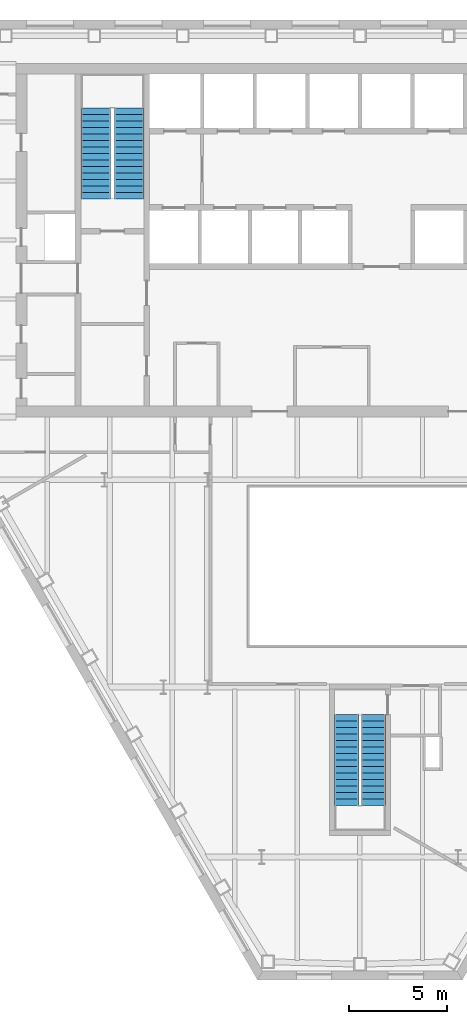
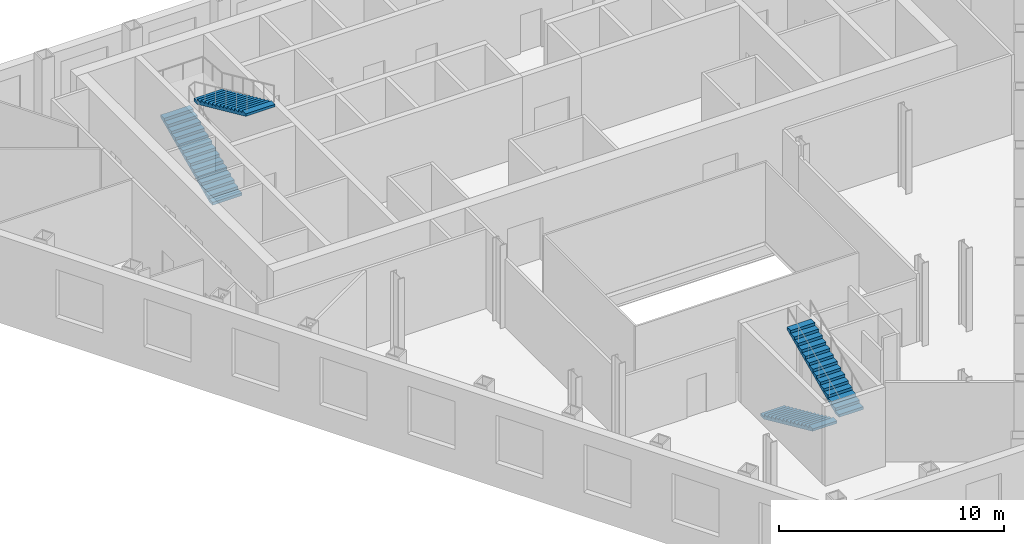
# One storey, part 9 of 11: 4 stair flights, 2 elements without a shape of their own.
"""IFC4 building model written with IfcOpenShell, lengths in metres."""

from ifc_helpers import new_model, si_unit, direction, frame, origin, place, context, subcontext, project, spatial, polygons, material, type_object, element, aggregate, save


model = new_model("IFC4")

# Units and contexts
model_context = context("Model", 3, precision=1e-05, world=origin(), true_north=direction((0.0, 1.0)))
body_context = subcontext(model_context, "Body", "Model", "MODEL_VIEW")
ifc_project = project(units=[si_unit("LENGTHUNIT", "METRE"), si_unit("AREAUNIT", "SQUARE_METRE"), si_unit("VOLUMEUNIT", "CUBIC_METRE"), si_unit("PLANEANGLEUNIT", "RADIAN"), si_unit("MASSUNIT", "GRAM", prefix="KILO")], contexts=[model_context])

# Site, building, storey
site_placement = place(None, origin())
site = spatial("IfcSite", under=ifc_project, at=site_placement, CompositionType="ELEMENT")
building_placement = place(site_placement, origin())
building = spatial("IfcBuilding", under=site, at=building_placement, Name="Njiva Tower", CompositionType="ELEMENT")
storey_placement = place(building_placement, frame((0.0, 0.0, 93.3)))
storey = spatial("IfcBuildingStorey", under=building, at=storey_placement, Name="L19", CompositionType="ELEMENT", Elevation=93.3)

# Stair, stair flights
ifc_material = material(Name="Concrete C40/50", Category="concrete")
stair_type_1 = type_object("IfcStairType", Name="ST1 Exit stair 1250", PredefinedType="HALF_TURN_STAIR", material=ifc_material)
stair_1_placement = place(storey_placement, origin())
stair_1 = element("IfcStair", 1, at=stair_1_placement, inside=storey, type_object=stair_type_1, Name="Stair C", PredefinedType="HALF_TURN_STAIR")
stair_flight_type_1 = type_object("IfcStairFlightType", Name="FL1 Stair flight 1250", PredefinedType="STRAIGHT", material=ifc_material)
stair_flight_1_placement = place(storey_placement, frame((-0.675, -15.16, 0.0), z_axis=(0.0, 0.0, 1.0), x_axis=(0.0, -1.0, 0.0)))
stair_flight_1 = element("IfcStairFlight", 2, at=stair_flight_1_placement, type_object=stair_flight_type_1, Name="ST-C flight 1", NumberOfRisers=15, NumberOfTreads=14, PredefinedType="STRAIGHT", RiserHeight=0.15, TreadLength=0.33, context=body_context, shape_type="Tessellation", body=[
    polygons([(0.0, 0.625, 0.0), (0.0, 0.3125, 0.0), (0.0, 0.0, 0.0), (0.0, -0.3125, 0.0), (0.0, -0.625, 0.0), (0.0, 0.625, 0.15), (0.0, 0.3125, 0.15), (0.0, 0.0, 0.15), (0.0, -0.3125, 0.15), (0.0, -0.625, 0.15), (0.33, 0.625, 0.15), (0.33, 0.3125, 0.15), (0.33, 0.0, 0.15), (0.33, -0.3125, 0.15), (0.33, -0.625, 0.15), (0.33, 0.625, 0.3), (0.33, 0.3125, 0.3), (0.33, 0.0, 0.3), (0.33, -0.3125, 0.3), (0.33, -0.625, 0.3), (0.66, 0.625, 0.3), (0.66, 0.3125, 0.3), (0.66, 0.0, 0.3), (0.66, -0.3125, 0.3), (0.66, -0.625, 0.3), (0.66, 0.625, 0.45), (0.66, 0.3125, 0.45), (0.66, 0.0, 0.45), (0.66, -0.3125, 0.45), (0.66, -0.625, 0.45), (0.99, 0.625, 0.45), (0.99, 0.3125, 0.45), (0.99, 0.0, 0.45), (0.99, -0.3125, 0.45), (0.99, -0.625, 0.45), (0.99, 0.625, 0.6), (0.99, 0.3125, 0.6), (0.99, 0.0, 0.6), (0.99, -0.3125, 0.6), (0.99, -0.625, 0.6), (1.32, 0.625, 0.6), (1.32, 0.3125, 0.6), (1.32, 0.0, 0.6), (1.32, -0.3125, 0.6), (1.32, -0.625, 0.6), (1.32, 0.625, 0.75), (1.32, 0.3125, 0.75), (1.32, 0.0, 0.75), (1.32, -0.3125, 0.75), (1.32, -0.625, 0.75), (1.65, 0.625, 0.75), (1.65, 0.3125, 0.75), (1.65, 0.0, 0.75), (1.65, -0.3125, 0.75), (1.65, -0.625, 0.75), (1.65, 0.625, 0.9), (1.65, 0.3125, 0.9), (1.65, 0.0, 0.9), (1.65, -0.3125, 0.9), (1.65, -0.625, 0.9), (1.98, 0.625, 0.9), (1.98, 0.3125, 0.9), (1.98, 0.0, 0.9), (1.98, -0.3125, 0.9), (1.98, -0.625, 0.9), (1.98, 0.625, 1.05), (1.98, 0.3125, 1.05), (1.98, 0.0, 1.05), (1.98, -0.3125, 1.05), (1.98, -0.625, 1.05), (2.31, 0.625, 1.05), (2.31, 0.3125, 1.05), (2.31, 0.0, 1.05), (2.31, -0.3125, 1.05), (2.31, -0.625, 1.05), (2.31, 0.625, 1.2), (2.31, 0.3125, 1.2), (2.31, 0.0, 1.2), (2.31, -0.3125, 1.2), (2.31, -0.625, 1.2), (2.64, 0.625, 1.2), (2.64, 0.3125, 1.2), (2.64, 0.0, 1.2), (2.64, -0.3125, 1.2), (2.64, -0.625, 1.2), (2.64, 0.625, 1.35), (2.64, 0.3125, 1.35), (2.64, 0.0, 1.35), (2.64, -0.3125, 1.35), (2.64, -0.625, 1.35), (2.97, 0.625, 1.35), (2.97, 0.3125, 1.35), (2.97, 0.0, 1.35), (2.97, -0.3125, 1.35), (2.97, -0.625, 1.35), (2.97, 0.625, 1.5), (2.97, 0.3125, 1.5), (2.97, 0.0, 1.5), (2.97, -0.3125, 1.5), (2.97, -0.625, 1.5), (3.3, 0.625, 1.5), (3.3, 0.3125, 1.5), (3.3, 0.0, 1.5), (3.3, -0.3125, 1.5), (3.3, -0.625, 1.5), (3.3, 0.625, 1.65), (3.3, 0.3125, 1.65), (3.3, 0.0, 1.65), (3.3, -0.3125, 1.65), (3.3, -0.625, 1.65), (3.63, 0.625, 1.65), (3.63, 0.3125, 1.65), (3.63, 0.0, 1.65), (3.63, -0.3125, 1.65), (3.63, -0.625, 1.65), (3.63, 0.625, 1.8), (3.63, 0.3125, 1.8), (3.63, 0.0, 1.8), (3.63, -0.3125, 1.8), (3.63, -0.625, 1.8), (3.96, 0.625, 1.8), (3.96, 0.3125, 1.8), (3.96, 0.0, 1.8), (3.96, -0.3125, 1.8), (3.96, -0.625, 1.8), (3.96, 0.625, 1.95), (3.96, 0.3125, 1.95), (3.96, 0.0, 1.95), (3.96, -0.3125, 1.95), (3.96, -0.625, 1.95), (4.29, 0.625, 1.95), (4.29, 0.3125, 1.95), (4.29, 0.0, 1.95), (4.29, -0.3125, 1.95), (4.29, -0.625, 1.95), (4.29, 0.625, 2.1), (4.29, 0.3125, 2.1), (4.29, 0.0, 2.1), (4.29, -0.3125, 2.1), (4.29, -0.625, 2.1), (4.62, 0.625, 2.1), (4.62, 0.3125, 2.1), (4.62, 0.0, 2.1), (4.62, -0.3125, 2.1), (4.62, -0.625, 2.1), (4.62, 0.625, 1.9682), (4.62, 0.3125, 1.9682), (4.62, 0.0, 1.9682), (4.62, -0.3125, 1.9682), (4.62, -0.625, 1.9682), (0.29, 0.625, 0.0), (0.29, 0.3125, 0.0), (0.29, 0.0, 0.0), (0.29, -0.3125, 0.0), (0.29, -0.625, 0.0)], [[[1, 6, 11, 16, 21, 26, 31, 36, 41, 46, 51, 56, 61, 66, 71, 76, 81, 86, 91, 96, 101, 106, 111, 116, 121, 126, 131, 136, 141, 146, 151]], [[155, 150, 145, 140, 135, 130, 125, 120, 115, 110, 105, 100, 95, 90, 85, 80, 75, 70, 65, 60, 55, 50, 45, 40, 35, 30, 25, 20, 15, 10, 5]], [[6, 1, 2, 7]], [[7, 2, 3, 8]], [[8, 3, 4, 9]], [[9, 4, 5, 10]], [[11, 6, 7, 12]], [[12, 7, 8, 13]], [[13, 8, 9, 14]], [[14, 9, 10, 15]], [[16, 11, 12, 17]], [[17, 12, 13, 18]], [[18, 13, 14, 19]], [[19, 14, 15, 20]], [[21, 16, 17, 22]], [[22, 17, 18, 23]], [[23, 18, 19, 24]], [[24, 19, 20, 25]], [[26, 21, 22, 27]], [[27, 22, 23, 28]], [[28, 23, 24, 29]], [[29, 24, 25, 30]], [[31, 26, 27, 32]], [[32, 27, 28, 33]], [[33, 28, 29, 34]], [[34, 29, 30, 35]], [[36, 31, 32, 37]], [[37, 32, 33, 38]], [[38, 33, 34, 39]], [[39, 34, 35, 40]], [[41, 36, 37, 42]], [[42, 37, 38, 43]], [[43, 38, 39, 44]], [[44, 39, 40, 45]], [[46, 41, 42, 47]], [[47, 42, 43, 48]], [[48, 43, 44, 49]], [[49, 44, 45, 50]], [[51, 46, 47, 52]], [[52, 47, 48, 53]], [[53, 48, 49, 54]], [[54, 49, 50, 55]], [[56, 51, 52, 57]], [[57, 52, 53, 58]], [[58, 53, 54, 59]], [[59, 54, 55, 60]], [[61, 56, 57, 62]], [[62, 57, 58, 63]], [[63, 58, 59, 64]], [[64, 59, 60, 65]], [[66, 61, 62, 67]], [[67, 62, 63, 68]], [[68, 63, 64, 69]], [[69, 64, 65, 70]], [[71, 66, 67, 72]], [[72, 67, 68, 73]], [[73, 68, 69, 74]], [[74, 69, 70, 75]], [[76, 71, 72, 77]], [[77, 72, 73, 78]], [[78, 73, 74, 79]], [[79, 74, 75, 80]], [[81, 76, 77, 82]], [[82, 77, 78, 83]], [[83, 78, 79, 84]], [[84, 79, 80, 85]], [[86, 81, 82, 87]], [[87, 82, 83, 88]], [[88, 83, 84, 89]], [[89, 84, 85, 90]], [[91, 86, 87, 92]], [[92, 87, 88, 93]], [[93, 88, 89, 94]], [[94, 89, 90, 95]], [[96, 91, 92, 97]], [[97, 92, 93, 98]], [[98, 93, 94, 99]], [[99, 94, 95, 100]], [[101, 96, 97, 102]], [[102, 97, 98, 103]], [[103, 98, 99, 104]], [[104, 99, 100, 105]], [[106, 101, 102, 107]], [[107, 102, 103, 108]], [[108, 103, 104, 109]], [[109, 104, 105, 110]], [[111, 106, 107, 112]], [[112, 107, 108, 113]], [[113, 108, 109, 114]], [[114, 109, 110, 115]], [[116, 111, 112, 117]], [[117, 112, 113, 118]], [[118, 113, 114, 119]], [[119, 114, 115, 120]], [[121, 116, 117, 122]], [[122, 117, 118, 123]], [[123, 118, 119, 124]], [[124, 119, 120, 125]], [[126, 121, 122, 127]], [[127, 122, 123, 128]], [[128, 123, 124, 129]], [[129, 124, 125, 130]], [[131, 126, 127, 132]], [[132, 127, 128, 133]], [[133, 128, 129, 134]], [[134, 129, 130, 135]], [[136, 131, 132, 137]], [[137, 132, 133, 138]], [[138, 133, 134, 139]], [[139, 134, 135, 140]], [[141, 136, 137, 142]], [[142, 137, 138, 143]], [[143, 138, 139, 144]], [[144, 139, 140, 145]], [[146, 141, 142, 147]], [[147, 142, 143, 148]], [[148, 143, 144, 149]], [[149, 144, 145, 150]], [[151, 146, 147, 152]], [[152, 147, 148, 153]], [[153, 148, 149, 154]], [[154, 149, 150, 155]], [[1, 151, 152, 2]], [[2, 152, 153, 3]], [[3, 153, 154, 4]], [[4, 154, 155, 5]]], closed=True),
])
stair_flight_2_placement = place(storey_placement, frame((0.675, -19.78, 2.25), z_axis=(0.0, 0.0, 1.0), x_axis=(0.0, 1.0, 0.0)))
stair_flight_2 = element("IfcStairFlight", 3, at=stair_flight_2_placement, type_object=stair_flight_type_1, Name="ST-C flight 2", NumberOfRisers=15, NumberOfTreads=14, PredefinedType="STRAIGHT", RiserHeight=0.15, TreadLength=0.33, context=body_context, shape_type="Tessellation", body=[
    polygons([(0.0, 0.625, 0.0), (0.0, 0.3125, 0.0), (0.0, 0.0, 0.0), (0.0, -0.3125, 0.0), (0.0, -0.625, 0.0), (0.0, 0.625, 0.15), (0.0, 0.3125, 0.15), (0.0, 0.0, 0.15), (0.0, -0.3125, 0.15), (0.0, -0.625, 0.15), (0.33, 0.625, 0.15), (0.33, 0.3125, 0.15), (0.33, 0.0, 0.15), (0.33, -0.3125, 0.15), (0.33, -0.625, 0.15), (0.33, 0.625, 0.3), (0.33, 0.3125, 0.3), (0.33, 0.0, 0.3), (0.33, -0.3125, 0.3), (0.33, -0.625, 0.3), (0.66, 0.625, 0.3), (0.66, 0.3125, 0.3), (0.66, 0.0, 0.3), (0.66, -0.3125, 0.3), (0.66, -0.625, 0.3), (0.66, 0.625, 0.45), (0.66, 0.3125, 0.45), (0.66, 0.0, 0.45), (0.66, -0.3125, 0.45), (0.66, -0.625, 0.45), (0.99, 0.625, 0.45), (0.99, 0.3125, 0.45), (0.99, 0.0, 0.45), (0.99, -0.3125, 0.45), (0.99, -0.625, 0.45), (0.99, 0.625, 0.6), (0.99, 0.3125, 0.6), (0.99, 0.0, 0.6), (0.99, -0.3125, 0.6), (0.99, -0.625, 0.6), (1.32, 0.625, 0.6), (1.32, 0.3125, 0.6), (1.32, 0.0, 0.6), (1.32, -0.3125, 0.6), (1.32, -0.625, 0.6), (1.32, 0.625, 0.75), (1.32, 0.3125, 0.75), (1.32, 0.0, 0.75), (1.32, -0.3125, 0.75), (1.32, -0.625, 0.75), (1.65, 0.625, 0.75), (1.65, 0.3125, 0.75), (1.65, 0.0, 0.75), (1.65, -0.3125, 0.75), (1.65, -0.625, 0.75), (1.65, 0.625, 0.9), (1.65, 0.3125, 0.9), (1.65, 0.0, 0.9), (1.65, -0.3125, 0.9), (1.65, -0.625, 0.9), (1.98, 0.625, 0.9), (1.98, 0.3125, 0.9), (1.98, 0.0, 0.9), (1.98, -0.3125, 0.9), (1.98, -0.625, 0.9), (1.98, 0.625, 1.05), (1.98, 0.3125, 1.05), (1.98, 0.0, 1.05), (1.98, -0.3125, 1.05), (1.98, -0.625, 1.05), (2.31, 0.625, 1.05), (2.31, 0.3125, 1.05), (2.31, 0.0, 1.05), (2.31, -0.3125, 1.05), (2.31, -0.625, 1.05), (2.31, 0.625, 1.2), (2.31, 0.3125, 1.2), (2.31, 0.0, 1.2), (2.31, -0.3125, 1.2), (2.31, -0.625, 1.2), (2.64, 0.625, 1.2), (2.64, 0.3125, 1.2), (2.64, 0.0, 1.2), (2.64, -0.3125, 1.2), (2.64, -0.625, 1.2), (2.64, 0.625, 1.35), (2.64, 0.3125, 1.35), (2.64, 0.0, 1.35), (2.64, -0.3125, 1.35), (2.64, -0.625, 1.35), (2.97, 0.625, 1.35), (2.97, 0.3125, 1.35), (2.97, 0.0, 1.35), (2.97, -0.3125, 1.35), (2.97, -0.625, 1.35), (2.97, 0.625, 1.5), (2.97, 0.3125, 1.5), (2.97, 0.0, 1.5), (2.97, -0.3125, 1.5), (2.97, -0.625, 1.5), (3.3, 0.625, 1.5), (3.3, 0.3125, 1.5), (3.3, 0.0, 1.5), (3.3, -0.3125, 1.5), (3.3, -0.625, 1.5), (3.3, 0.625, 1.65), (3.3, 0.3125, 1.65), (3.3, 0.0, 1.65), (3.3, -0.3125, 1.65), (3.3, -0.625, 1.65), (3.63, 0.625, 1.65), (3.63, 0.3125, 1.65), (3.63, 0.0, 1.65), (3.63, -0.3125, 1.65), (3.63, -0.625, 1.65), (3.63, 0.625, 1.8), (3.63, 0.3125, 1.8), (3.63, 0.0, 1.8), (3.63, -0.3125, 1.8), (3.63, -0.625, 1.8), (3.96, 0.625, 1.8), (3.96, 0.3125, 1.8), (3.96, 0.0, 1.8), (3.96, -0.3125, 1.8), (3.96, -0.625, 1.8), (3.96, 0.625, 1.95), (3.96, 0.3125, 1.95), (3.96, 0.0, 1.95), (3.96, -0.3125, 1.95), (3.96, -0.625, 1.95), (4.29, 0.625, 1.95), (4.29, 0.3125, 1.95), (4.29, 0.0, 1.95), (4.29, -0.3125, 1.95), (4.29, -0.625, 1.95), (4.29, 0.625, 2.1), (4.29, 0.3125, 2.1), (4.29, 0.0, 2.1), (4.29, -0.3125, 2.1), (4.29, -0.625, 2.1), (4.62, 0.625, 2.1), (4.62, 0.3125, 2.1), (4.62, 0.0, 2.1), (4.62, -0.3125, 2.1), (4.62, -0.625, 2.1), (4.62, 0.625, 1.9682), (4.62, 0.3125, 1.9682), (4.62, 0.0, 1.9682), (4.62, -0.3125, 1.9682), (4.62, -0.625, 1.9682), (0.29, 0.625, 0.0), (0.29, 0.3125, 0.0), (0.29, 0.0, 0.0), (0.29, -0.3125, 0.0), (0.29, -0.625, 0.0)], [[[1, 6, 11, 16, 21, 26, 31, 36, 41, 46, 51, 56, 61, 66, 71, 76, 81, 86, 91, 96, 101, 106, 111, 116, 121, 126, 131, 136, 141, 146, 151]], [[155, 150, 145, 140, 135, 130, 125, 120, 115, 110, 105, 100, 95, 90, 85, 80, 75, 70, 65, 60, 55, 50, 45, 40, 35, 30, 25, 20, 15, 10, 5]], [[6, 1, 2, 7]], [[7, 2, 3, 8]], [[8, 3, 4, 9]], [[9, 4, 5, 10]], [[11, 6, 7, 12]], [[12, 7, 8, 13]], [[13, 8, 9, 14]], [[14, 9, 10, 15]], [[16, 11, 12, 17]], [[17, 12, 13, 18]], [[18, 13, 14, 19]], [[19, 14, 15, 20]], [[21, 16, 17, 22]], [[22, 17, 18, 23]], [[23, 18, 19, 24]], [[24, 19, 20, 25]], [[26, 21, 22, 27]], [[27, 22, 23, 28]], [[28, 23, 24, 29]], [[29, 24, 25, 30]], [[31, 26, 27, 32]], [[32, 27, 28, 33]], [[33, 28, 29, 34]], [[34, 29, 30, 35]], [[36, 31, 32, 37]], [[37, 32, 33, 38]], [[38, 33, 34, 39]], [[39, 34, 35, 40]], [[41, 36, 37, 42]], [[42, 37, 38, 43]], [[43, 38, 39, 44]], [[44, 39, 40, 45]], [[46, 41, 42, 47]], [[47, 42, 43, 48]], [[48, 43, 44, 49]], [[49, 44, 45, 50]], [[51, 46, 47, 52]], [[52, 47, 48, 53]], [[53, 48, 49, 54]], [[54, 49, 50, 55]], [[56, 51, 52, 57]], [[57, 52, 53, 58]], [[58, 53, 54, 59]], [[59, 54, 55, 60]], [[61, 56, 57, 62]], [[62, 57, 58, 63]], [[63, 58, 59, 64]], [[64, 59, 60, 65]], [[66, 61, 62, 67]], [[67, 62, 63, 68]], [[68, 63, 64, 69]], [[69, 64, 65, 70]], [[71, 66, 67, 72]], [[72, 67, 68, 73]], [[73, 68, 69, 74]], [[74, 69, 70, 75]], [[76, 71, 72, 77]], [[77, 72, 73, 78]], [[78, 73, 74, 79]], [[79, 74, 75, 80]], [[81, 76, 77, 82]], [[82, 77, 78, 83]], [[83, 78, 79, 84]], [[84, 79, 80, 85]], [[86, 81, 82, 87]], [[87, 82, 83, 88]], [[88, 83, 84, 89]], [[89, 84, 85, 90]], [[91, 86, 87, 92]], [[92, 87, 88, 93]], [[93, 88, 89, 94]], [[94, 89, 90, 95]], [[96, 91, 92, 97]], [[97, 92, 93, 98]], [[98, 93, 94, 99]], [[99, 94, 95, 100]], [[101, 96, 97, 102]], [[102, 97, 98, 103]], [[103, 98, 99, 104]], [[104, 99, 100, 105]], [[106, 101, 102, 107]], [[107, 102, 103, 108]], [[108, 103, 104, 109]], [[109, 104, 105, 110]], [[111, 106, 107, 112]], [[112, 107, 108, 113]], [[113, 108, 109, 114]], [[114, 109, 110, 115]], [[116, 111, 112, 117]], [[117, 112, 113, 118]], [[118, 113, 114, 119]], [[119, 114, 115, 120]], [[121, 116, 117, 122]], [[122, 117, 118, 123]], [[123, 118, 119, 124]], [[124, 119, 120, 125]], [[126, 121, 122, 127]], [[127, 122, 123, 128]], [[128, 123, 124, 129]], [[129, 124, 125, 130]], [[131, 126, 127, 132]], [[132, 127, 128, 133]], [[133, 128, 129, 134]], [[134, 129, 130, 135]], [[136, 131, 132, 137]], [[137, 132, 133, 138]], [[138, 133, 134, 139]], [[139, 134, 135, 140]], [[141, 136, 137, 142]], [[142, 137, 138, 143]], [[143, 138, 139, 144]], [[144, 139, 140, 145]], [[146, 141, 142, 147]], [[147, 142, 143, 148]], [[148, 143, 144, 149]], [[149, 144, 145, 150]], [[151, 146, 147, 152]], [[152, 147, 148, 153]], [[153, 148, 149, 154]], [[154, 149, 150, 155]], [[1, 151, 152, 2]], [[2, 152, 153, 3]], [[3, 153, 154, 4]], [[4, 154, 155, 5]]], closed=True),
])
aggregate(stair_1, [stair_flight_1, stair_flight_2])

stair_type_2 = type_object("IfcStairType", Name="ST4 Exit stair 1500", PredefinedType="HALF_TURN_STAIR", material=ifc_material)
stair_2_placement = place(storey_placement, origin())
stair_2 = element("IfcStair", 4, at=stair_2_placement, inside=storey, type_object=stair_type_2, Name="Stair A", PredefinedType="HALF_TURN_STAIR")
stair_flight_type_2 = type_object("IfcStairFlightType", Name="FL4 Stair flight 1500", PredefinedType="STRAIGHT", material=ifc_material)
stair_flight_3_placement = place(storey_placement, frame((-13.45, 11.1, 0.0), z_axis=(0.0, 0.0, 1.0), x_axis=(0.0, 1.0, 0.0)))
stair_flight_3 = element("IfcStairFlight", 5, at=stair_flight_3_placement, type_object=stair_flight_type_2, Name="ST-A flight 1", NumberOfRisers=15, NumberOfTreads=14, PredefinedType="STRAIGHT", RiserHeight=0.15, TreadLength=0.33, context=body_context, shape_type="Tessellation", body=[
    polygons([(0.0, 0.75, 0.0), (0.0, 0.375, 0.0), (0.0, 0.0, 0.0), (0.0, -0.375, 0.0), (0.0, -0.75, 0.0), (0.0, 0.75, 0.15), (0.0, 0.375, 0.15), (0.0, 0.0, 0.15), (0.0, -0.375, 0.15), (0.0, -0.75, 0.15), (0.33, 0.75, 0.15), (0.33, 0.375, 0.15), (0.33, 0.0, 0.15), (0.33, -0.375, 0.15), (0.33, -0.75, 0.15), (0.33, 0.75, 0.3), (0.33, 0.375, 0.3), (0.33, 0.0, 0.3), (0.33, -0.375, 0.3), (0.33, -0.75, 0.3), (0.66, 0.75, 0.3), (0.66, 0.375, 0.3), (0.66, 0.0, 0.3), (0.66, -0.375, 0.3), (0.66, -0.75, 0.3), (0.66, 0.75, 0.45), (0.66, 0.375, 0.45), (0.66, 0.0, 0.45), (0.66, -0.375, 0.45), (0.66, -0.75, 0.45), (0.99, 0.75, 0.45), (0.99, 0.375, 0.45), (0.99, 0.0, 0.45), (0.99, -0.375, 0.45), (0.99, -0.75, 0.45), (0.99, 0.75, 0.6), (0.99, 0.375, 0.6), (0.99, 0.0, 0.6), (0.99, -0.375, 0.6), (0.99, -0.75, 0.6), (1.32, 0.75, 0.6), (1.32, 0.375, 0.6), (1.32, 0.0, 0.6), (1.32, -0.375, 0.6), (1.32, -0.75, 0.6), (1.32, 0.75, 0.75), (1.32, 0.375, 0.75), (1.32, 0.0, 0.75), (1.32, -0.375, 0.75), (1.32, -0.75, 0.75), (1.65, 0.75, 0.75), (1.65, 0.375, 0.75), (1.65, 0.0, 0.75), (1.65, -0.375, 0.75), (1.65, -0.75, 0.75), (1.65, 0.75, 0.9), (1.65, 0.375, 0.9), (1.65, 0.0, 0.9), (1.65, -0.375, 0.9), (1.65, -0.75, 0.9), (1.98, 0.75, 0.9), (1.98, 0.375, 0.9), (1.98, 0.0, 0.9), (1.98, -0.375, 0.9), (1.98, -0.75, 0.9), (1.98, 0.75, 1.05), (1.98, 0.375, 1.05), (1.98, 0.0, 1.05), (1.98, -0.375, 1.05), (1.98, -0.75, 1.05), (2.31, 0.75, 1.05), (2.31, 0.375, 1.05), (2.31, 0.0, 1.05), (2.31, -0.375, 1.05), (2.31, -0.75, 1.05), (2.31, 0.75, 1.2), (2.31, 0.375, 1.2), (2.31, 0.0, 1.2), (2.31, -0.375, 1.2), (2.31, -0.75, 1.2), (2.64, 0.75, 1.2), (2.64, 0.375, 1.2), (2.64, 0.0, 1.2), (2.64, -0.375, 1.2), (2.64, -0.75, 1.2), (2.64, 0.75, 1.35), (2.64, 0.375, 1.35), (2.64, 0.0, 1.35), (2.64, -0.375, 1.35), (2.64, -0.75, 1.35), (2.97, 0.75, 1.35), (2.97, 0.375, 1.35), (2.97, 0.0, 1.35), (2.97, -0.375, 1.35), (2.97, -0.75, 1.35), (2.97, 0.75, 1.5), (2.97, 0.375, 1.5), (2.97, 0.0, 1.5), (2.97, -0.375, 1.5), (2.97, -0.75, 1.5), (3.3, 0.75, 1.5), (3.3, 0.375, 1.5), (3.3, 0.0, 1.5), (3.3, -0.375, 1.5), (3.3, -0.75, 1.5), (3.3, 0.75, 1.65), (3.3, 0.375, 1.65), (3.3, 0.0, 1.65), (3.3, -0.375, 1.65), (3.3, -0.75, 1.65), (3.63, 0.75, 1.65), (3.63, 0.375, 1.65), (3.63, 0.0, 1.65), (3.63, -0.375, 1.65), (3.63, -0.75, 1.65), (3.63, 0.75, 1.8), (3.63, 0.375, 1.8), (3.63, 0.0, 1.8), (3.63, -0.375, 1.8), (3.63, -0.75, 1.8), (3.96, 0.75, 1.8), (3.96, 0.375, 1.8), (3.96, 0.0, 1.8), (3.96, -0.375, 1.8), (3.96, -0.75, 1.8), (3.96, 0.75, 1.95), (3.96, 0.375, 1.95), (3.96, 0.0, 1.95), (3.96, -0.375, 1.95), (3.96, -0.75, 1.95), (4.29, 0.75, 1.95), (4.29, 0.375, 1.95), (4.29, 0.0, 1.95), (4.29, -0.375, 1.95), (4.29, -0.75, 1.95), (4.29, 0.75, 2.1), (4.29, 0.375, 2.1), (4.29, 0.0, 2.1), (4.29, -0.375, 2.1), (4.29, -0.75, 2.1), (4.62, 0.75, 2.1), (4.62, 0.375, 2.1), (4.62, 0.0, 2.1), (4.62, -0.375, 2.1), (4.62, -0.75, 2.1), (4.62, 0.75, 1.9682), (4.62, 0.375, 1.9682), (4.62, 0.0, 1.9682), (4.62, -0.375, 1.9682), (4.62, -0.75, 1.9682), (0.29, 0.75, 0.0), (0.29, 0.375, 0.0), (0.29, 0.0, 0.0), (0.29, -0.375, 0.0), (0.29, -0.75, 0.0)], [[[1, 6, 11, 16, 21, 26, 31, 36, 41, 46, 51, 56, 61, 66, 71, 76, 81, 86, 91, 96, 101, 106, 111, 116, 121, 126, 131, 136, 141, 146, 151]], [[155, 150, 145, 140, 135, 130, 125, 120, 115, 110, 105, 100, 95, 90, 85, 80, 75, 70, 65, 60, 55, 50, 45, 40, 35, 30, 25, 20, 15, 10, 5]], [[6, 1, 2, 7]], [[7, 2, 3, 8]], [[8, 3, 4, 9]], [[9, 4, 5, 10]], [[11, 6, 7, 12]], [[12, 7, 8, 13]], [[13, 8, 9, 14]], [[14, 9, 10, 15]], [[16, 11, 12, 17]], [[17, 12, 13, 18]], [[18, 13, 14, 19]], [[19, 14, 15, 20]], [[21, 16, 17, 22]], [[22, 17, 18, 23]], [[23, 18, 19, 24]], [[24, 19, 20, 25]], [[26, 21, 22, 27]], [[27, 22, 23, 28]], [[28, 23, 24, 29]], [[29, 24, 25, 30]], [[31, 26, 27, 32]], [[32, 27, 28, 33]], [[33, 28, 29, 34]], [[34, 29, 30, 35]], [[36, 31, 32, 37]], [[37, 32, 33, 38]], [[38, 33, 34, 39]], [[39, 34, 35, 40]], [[41, 36, 37, 42]], [[42, 37, 38, 43]], [[43, 38, 39, 44]], [[44, 39, 40, 45]], [[46, 41, 42, 47]], [[47, 42, 43, 48]], [[48, 43, 44, 49]], [[49, 44, 45, 50]], [[51, 46, 47, 52]], [[52, 47, 48, 53]], [[53, 48, 49, 54]], [[54, 49, 50, 55]], [[56, 51, 52, 57]], [[57, 52, 53, 58]], [[58, 53, 54, 59]], [[59, 54, 55, 60]], [[61, 56, 57, 62]], [[62, 57, 58, 63]], [[63, 58, 59, 64]], [[64, 59, 60, 65]], [[66, 61, 62, 67]], [[67, 62, 63, 68]], [[68, 63, 64, 69]], [[69, 64, 65, 70]], [[71, 66, 67, 72]], [[72, 67, 68, 73]], [[73, 68, 69, 74]], [[74, 69, 70, 75]], [[76, 71, 72, 77]], [[77, 72, 73, 78]], [[78, 73, 74, 79]], [[79, 74, 75, 80]], [[81, 76, 77, 82]], [[82, 77, 78, 83]], [[83, 78, 79, 84]], [[84, 79, 80, 85]], [[86, 81, 82, 87]], [[87, 82, 83, 88]], [[88, 83, 84, 89]], [[89, 84, 85, 90]], [[91, 86, 87, 92]], [[92, 87, 88, 93]], [[93, 88, 89, 94]], [[94, 89, 90, 95]], [[96, 91, 92, 97]], [[97, 92, 93, 98]], [[98, 93, 94, 99]], [[99, 94, 95, 100]], [[101, 96, 97, 102]], [[102, 97, 98, 103]], [[103, 98, 99, 104]], [[104, 99, 100, 105]], [[106, 101, 102, 107]], [[107, 102, 103, 108]], [[108, 103, 104, 109]], [[109, 104, 105, 110]], [[111, 106, 107, 112]], [[112, 107, 108, 113]], [[113, 108, 109, 114]], [[114, 109, 110, 115]], [[116, 111, 112, 117]], [[117, 112, 113, 118]], [[118, 113, 114, 119]], [[119, 114, 115, 120]], [[121, 116, 117, 122]], [[122, 117, 118, 123]], [[123, 118, 119, 124]], [[124, 119, 120, 125]], [[126, 121, 122, 127]], [[127, 122, 123, 128]], [[128, 123, 124, 129]], [[129, 124, 125, 130]], [[131, 126, 127, 132]], [[132, 127, 128, 133]], [[133, 128, 129, 134]], [[134, 129, 130, 135]], [[136, 131, 132, 137]], [[137, 132, 133, 138]], [[138, 133, 134, 139]], [[139, 134, 135, 140]], [[141, 136, 137, 142]], [[142, 137, 138, 143]], [[143, 138, 139, 144]], [[144, 139, 140, 145]], [[146, 141, 142, 147]], [[147, 142, 143, 148]], [[148, 143, 144, 149]], [[149, 144, 145, 150]], [[151, 146, 147, 152]], [[152, 147, 148, 153]], [[153, 148, 149, 154]], [[154, 149, 150, 155]], [[1, 151, 152, 2]], [[2, 152, 153, 3]], [[3, 153, 154, 4]], [[4, 154, 155, 5]]], closed=True),
])
stair_flight_4_placement = place(storey_placement, frame((-11.75, 15.72, 2.25), z_axis=(0.0, 0.0, 1.0), x_axis=(0.0, -1.0, 0.0)))
stair_flight_4 = element("IfcStairFlight", 6, at=stair_flight_4_placement, type_object=stair_flight_type_2, Name="ST-A flight 2", NumberOfRisers=15, NumberOfTreads=14, PredefinedType="STRAIGHT", RiserHeight=0.15, TreadLength=0.33, context=body_context, shape_type="Tessellation", body=[
    polygons([(0.0, 0.75, 0.0), (0.0, 0.375, 0.0), (0.0, 0.0, 0.0), (0.0, -0.375, 0.0), (0.0, -0.75, 0.0), (0.0, 0.75, 0.15), (0.0, 0.375, 0.15), (0.0, 0.0, 0.15), (0.0, -0.375, 0.15), (0.0, -0.75, 0.15), (0.33, 0.75, 0.15), (0.33, 0.375, 0.15), (0.33, 0.0, 0.15), (0.33, -0.375, 0.15), (0.33, -0.75, 0.15), (0.33, 0.75, 0.3), (0.33, 0.375, 0.3), (0.33, 0.0, 0.3), (0.33, -0.375, 0.3), (0.33, -0.75, 0.3), (0.66, 0.75, 0.3), (0.66, 0.375, 0.3), (0.66, 0.0, 0.3), (0.66, -0.375, 0.3), (0.66, -0.75, 0.3), (0.66, 0.75, 0.45), (0.66, 0.375, 0.45), (0.66, 0.0, 0.45), (0.66, -0.375, 0.45), (0.66, -0.75, 0.45), (0.99, 0.75, 0.45), (0.99, 0.375, 0.45), (0.99, 0.0, 0.45), (0.99, -0.375, 0.45), (0.99, -0.75, 0.45), (0.99, 0.75, 0.6), (0.99, 0.375, 0.6), (0.99, 0.0, 0.6), (0.99, -0.375, 0.6), (0.99, -0.75, 0.6), (1.32, 0.75, 0.6), (1.32, 0.375, 0.6), (1.32, 0.0, 0.6), (1.32, -0.375, 0.6), (1.32, -0.75, 0.6), (1.32, 0.75, 0.75), (1.32, 0.375, 0.75), (1.32, 0.0, 0.75), (1.32, -0.375, 0.75), (1.32, -0.75, 0.75), (1.65, 0.75, 0.75), (1.65, 0.375, 0.75), (1.65, 0.0, 0.75), (1.65, -0.375, 0.75), (1.65, -0.75, 0.75), (1.65, 0.75, 0.9), (1.65, 0.375, 0.9), (1.65, 0.0, 0.9), (1.65, -0.375, 0.9), (1.65, -0.75, 0.9), (1.98, 0.75, 0.9), (1.98, 0.375, 0.9), (1.98, 0.0, 0.9), (1.98, -0.375, 0.9), (1.98, -0.75, 0.9), (1.98, 0.75, 1.05), (1.98, 0.375, 1.05), (1.98, 0.0, 1.05), (1.98, -0.375, 1.05), (1.98, -0.75, 1.05), (2.31, 0.75, 1.05), (2.31, 0.375, 1.05), (2.31, 0.0, 1.05), (2.31, -0.375, 1.05), (2.31, -0.75, 1.05), (2.31, 0.75, 1.2), (2.31, 0.375, 1.2), (2.31, 0.0, 1.2), (2.31, -0.375, 1.2), (2.31, -0.75, 1.2), (2.64, 0.75, 1.2), (2.64, 0.375, 1.2), (2.64, 0.0, 1.2), (2.64, -0.375, 1.2), (2.64, -0.75, 1.2), (2.64, 0.75, 1.35), (2.64, 0.375, 1.35), (2.64, 0.0, 1.35), (2.64, -0.375, 1.35), (2.64, -0.75, 1.35), (2.97, 0.75, 1.35), (2.97, 0.375, 1.35), (2.97, 0.0, 1.35), (2.97, -0.375, 1.35), (2.97, -0.75, 1.35), (2.97, 0.75, 1.5), (2.97, 0.375, 1.5), (2.97, 0.0, 1.5), (2.97, -0.375, 1.5), (2.97, -0.75, 1.5), (3.3, 0.75, 1.5), (3.3, 0.375, 1.5), (3.3, 0.0, 1.5), (3.3, -0.375, 1.5), (3.3, -0.75, 1.5), (3.3, 0.75, 1.65), (3.3, 0.375, 1.65), (3.3, 0.0, 1.65), (3.3, -0.375, 1.65), (3.3, -0.75, 1.65), (3.63, 0.75, 1.65), (3.63, 0.375, 1.65), (3.63, 0.0, 1.65), (3.63, -0.375, 1.65), (3.63, -0.75, 1.65), (3.63, 0.75, 1.8), (3.63, 0.375, 1.8), (3.63, 0.0, 1.8), (3.63, -0.375, 1.8), (3.63, -0.75, 1.8), (3.96, 0.75, 1.8), (3.96, 0.375, 1.8), (3.96, 0.0, 1.8), (3.96, -0.375, 1.8), (3.96, -0.75, 1.8), (3.96, 0.75, 1.95), (3.96, 0.375, 1.95), (3.96, 0.0, 1.95), (3.96, -0.375, 1.95), (3.96, -0.75, 1.95), (4.29, 0.75, 1.95), (4.29, 0.375, 1.95), (4.29, 0.0, 1.95), (4.29, -0.375, 1.95), (4.29, -0.75, 1.95), (4.29, 0.75, 2.1), (4.29, 0.375, 2.1), (4.29, 0.0, 2.1), (4.29, -0.375, 2.1), (4.29, -0.75, 2.1), (4.62, 0.75, 2.1), (4.62, 0.375, 2.1), (4.62, 0.0, 2.1), (4.62, -0.375, 2.1), (4.62, -0.75, 2.1), (4.62, 0.75, 1.9682), (4.62, 0.375, 1.9682), (4.62, 0.0, 1.9682), (4.62, -0.375, 1.9682), (4.62, -0.75, 1.9682), (0.29, 0.75, 0.0), (0.29, 0.375, 0.0), (0.29, 0.0, 0.0), (0.29, -0.375, 0.0), (0.29, -0.75, 0.0)], [[[1, 6, 11, 16, 21, 26, 31, 36, 41, 46, 51, 56, 61, 66, 71, 76, 81, 86, 91, 96, 101, 106, 111, 116, 121, 126, 131, 136, 141, 146, 151]], [[155, 150, 145, 140, 135, 130, 125, 120, 115, 110, 105, 100, 95, 90, 85, 80, 75, 70, 65, 60, 55, 50, 45, 40, 35, 30, 25, 20, 15, 10, 5]], [[6, 1, 2, 7]], [[7, 2, 3, 8]], [[8, 3, 4, 9]], [[9, 4, 5, 10]], [[11, 6, 7, 12]], [[12, 7, 8, 13]], [[13, 8, 9, 14]], [[14, 9, 10, 15]], [[16, 11, 12, 17]], [[17, 12, 13, 18]], [[18, 13, 14, 19]], [[19, 14, 15, 20]], [[21, 16, 17, 22]], [[22, 17, 18, 23]], [[23, 18, 19, 24]], [[24, 19, 20, 25]], [[26, 21, 22, 27]], [[27, 22, 23, 28]], [[28, 23, 24, 29]], [[29, 24, 25, 30]], [[31, 26, 27, 32]], [[32, 27, 28, 33]], [[33, 28, 29, 34]], [[34, 29, 30, 35]], [[36, 31, 32, 37]], [[37, 32, 33, 38]], [[38, 33, 34, 39]], [[39, 34, 35, 40]], [[41, 36, 37, 42]], [[42, 37, 38, 43]], [[43, 38, 39, 44]], [[44, 39, 40, 45]], [[46, 41, 42, 47]], [[47, 42, 43, 48]], [[48, 43, 44, 49]], [[49, 44, 45, 50]], [[51, 46, 47, 52]], [[52, 47, 48, 53]], [[53, 48, 49, 54]], [[54, 49, 50, 55]], [[56, 51, 52, 57]], [[57, 52, 53, 58]], [[58, 53, 54, 59]], [[59, 54, 55, 60]], [[61, 56, 57, 62]], [[62, 57, 58, 63]], [[63, 58, 59, 64]], [[64, 59, 60, 65]], [[66, 61, 62, 67]], [[67, 62, 63, 68]], [[68, 63, 64, 69]], [[69, 64, 65, 70]], [[71, 66, 67, 72]], [[72, 67, 68, 73]], [[73, 68, 69, 74]], [[74, 69, 70, 75]], [[76, 71, 72, 77]], [[77, 72, 73, 78]], [[78, 73, 74, 79]], [[79, 74, 75, 80]], [[81, 76, 77, 82]], [[82, 77, 78, 83]], [[83, 78, 79, 84]], [[84, 79, 80, 85]], [[86, 81, 82, 87]], [[87, 82, 83, 88]], [[88, 83, 84, 89]], [[89, 84, 85, 90]], [[91, 86, 87, 92]], [[92, 87, 88, 93]], [[93, 88, 89, 94]], [[94, 89, 90, 95]], [[96, 91, 92, 97]], [[97, 92, 93, 98]], [[98, 93, 94, 99]], [[99, 94, 95, 100]], [[101, 96, 97, 102]], [[102, 97, 98, 103]], [[103, 98, 99, 104]], [[104, 99, 100, 105]], [[106, 101, 102, 107]], [[107, 102, 103, 108]], [[108, 103, 104, 109]], [[109, 104, 105, 110]], [[111, 106, 107, 112]], [[112, 107, 108, 113]], [[113, 108, 109, 114]], [[114, 109, 110, 115]], [[116, 111, 112, 117]], [[117, 112, 113, 118]], [[118, 113, 114, 119]], [[119, 114, 115, 120]], [[121, 116, 117, 122]], [[122, 117, 118, 123]], [[123, 118, 119, 124]], [[124, 119, 120, 125]], [[126, 121, 122, 127]], [[127, 122, 123, 128]], [[128, 123, 124, 129]], [[129, 124, 125, 130]], [[131, 126, 127, 132]], [[132, 127, 128, 133]], [[133, 128, 129, 134]], [[134, 129, 130, 135]], [[136, 131, 132, 137]], [[137, 132, 133, 138]], [[138, 133, 134, 139]], [[139, 134, 135, 140]], [[141, 136, 137, 142]], [[142, 137, 138, 143]], [[143, 138, 139, 144]], [[144, 139, 140, 145]], [[146, 141, 142, 147]], [[147, 142, 143, 148]], [[148, 143, 144, 149]], [[149, 144, 145, 150]], [[151, 146, 147, 152]], [[152, 147, 148, 153]], [[153, 148, 149, 154]], [[154, 149, 150, 155]], [[1, 151, 152, 2]], [[2, 152, 153, 3]], [[3, 153, 154, 4]], [[4, 154, 155, 5]]], closed=True),
])
aggregate(stair_2, [stair_flight_3, stair_flight_4])

save(model, "model.ifc")
